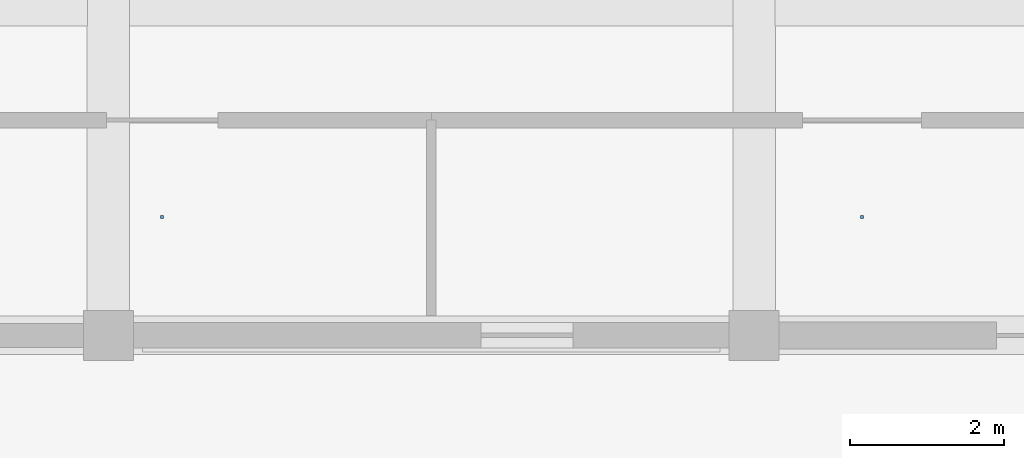
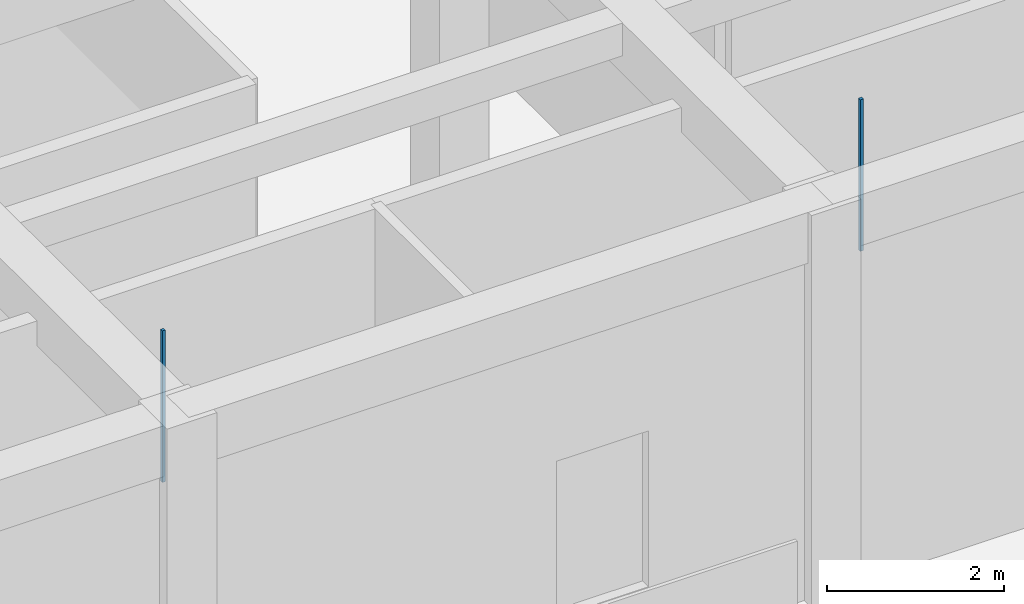
# One storey, part 121 of 167: 2 discrete accessories.
"""IFC4 building model written with IfcOpenShell, lengths in metres."""

from ifc_helpers import new_model, si_unit, direction, frame, origin, origin_2d, place, context, subcontext, project, spatial, rectangle, extrude, material, type_object, element, save


model = new_model("IFC4")

# Units and contexts
model_context = context("Model", 3, precision=1e-05, world=origin(), true_north=direction((0.0, 1.0)))
body_context = subcontext(model_context, "Body", "Model", "MODEL_VIEW")
ifc_project = project(units=[si_unit("LENGTHUNIT", "METRE"), si_unit("AREAUNIT", "SQUARE_METRE"), si_unit("VOLUMEUNIT", "CUBIC_METRE"), si_unit("PLANEANGLEUNIT", "RADIAN"), si_unit("MASSUNIT", "GRAM", prefix="KILO")], contexts=[model_context])

# Site, building, storey
site_placement = place(None, origin())
site = spatial("IfcSite", under=ifc_project, at=site_placement, CompositionType="ELEMENT")
building_placement = place(site_placement, origin())
building = spatial("IfcBuilding", under=site, at=building_placement, Name="Varncliffe General Hospital", CompositionType="ELEMENT")
storey_placement = place(building_placement, origin())
storey = spatial("IfcBuildingStorey", under=building, at=storey_placement, Name="L00", CompositionType="ELEMENT", Elevation=0.0)

# Discrete accessories
ifc_material = material(Name="Powder-coated hospital steel guardrail and handrail", Category="steel")
discrete_accessory_type = type_object("IfcDiscreteAccessoryType", Name="Suspended Ceiling Hanger Bracket CH01", PredefinedType="BRACKET", material=ifc_material)
for number, where, z_axis, x_axis, name in (
    (1, (126.699951171875, 25.54248046875, 3.18994140625), (0.0, 0.0, 1.0), (1.0, 0.0, 0.0), "L00 Suspended Ceiling Hanger 81"),
    (2, (135.800048828125, 25.54248046875, 3.18994140625), (0.0, 0.0, 1.0), (1.0, 0.0, 0.0), "L00 Suspended Ceiling Hanger 82"),
):
    element("IfcDiscreteAccessory", number, at=place(storey_placement, frame(where, z_axis=z_axis, x_axis=x_axis)), inside=storey, type_object=discrete_accessory_type, Name=name, PredefinedType="BRACKET", context=body_context, shape_type="SweptSolid", body=[
        extrude(rectangle(XDim=0.0400390625, YDim=0.0400390625, at=origin_2d()), origin(), (0.0, 0.0, 1.0), 2.090087890625),
    ])

save(model, "model.ifc")
